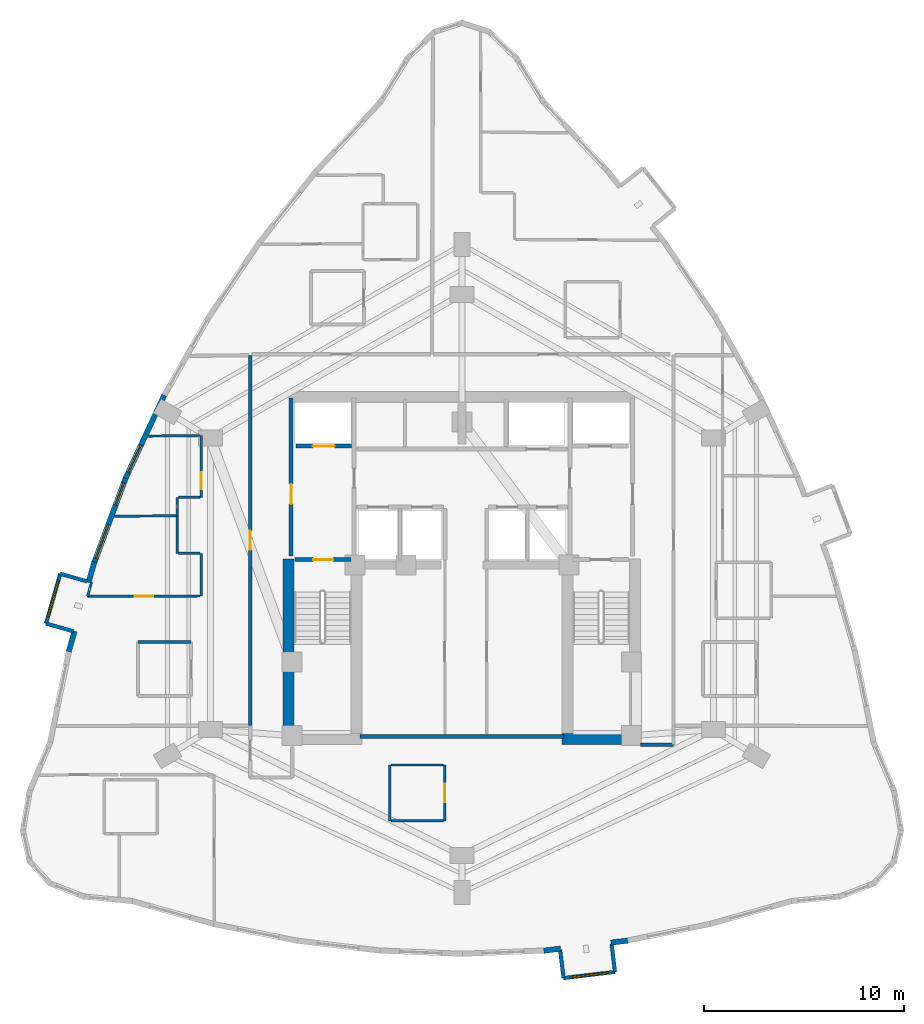
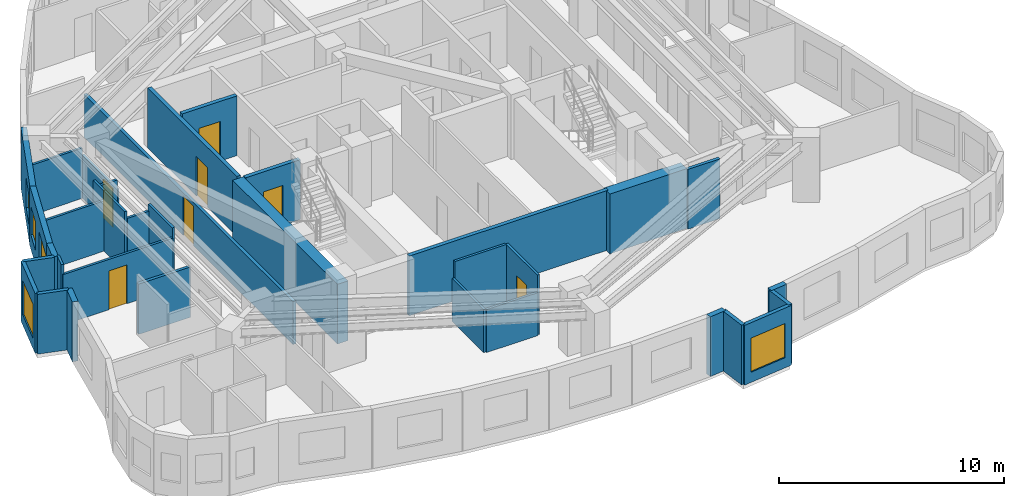
# One storey, part 9 of 14: 35 walls, 7 doors, 5 windows, 12 openings.
"""IFC4 building model written with IfcOpenShell, lengths in metres."""

from ifc_helpers import new_model, si_unit, direction, frame, frame_2d, origin, place, context, subcontext, project, spatial, rectangle, extrude, material, layer, layer_set, type_object, element, fill, save


model = new_model("IFC4")

# Units and contexts
model_context = context("Model", 3, precision=1e-05, world=origin(), true_north=direction((0.0, 1.0)))
body_context = subcontext(model_context, "Body", "Model", "MODEL_VIEW")
ifc_project = project(units=[si_unit("LENGTHUNIT", "METRE"), si_unit("AREAUNIT", "SQUARE_METRE"), si_unit("VOLUMEUNIT", "CUBIC_METRE"), si_unit("PLANEANGLEUNIT", "RADIAN"), si_unit("MASSUNIT", "GRAM", prefix="KILO")], contexts=[model_context])

# Site, building, storey
site_placement = place(None, origin())
site = spatial("IfcSite", under=ifc_project, at=site_placement, CompositionType="ELEMENT")
building_placement = place(site_placement, origin())
building = spatial("IfcBuilding", under=site, at=building_placement, Name="Miruveldt Soraemaru", CompositionType="ELEMENT")
storey_placement = place(building_placement, frame((0.0, 0.0, 114.39990234375)))
storey = spatial("IfcBuildingStorey", under=building, at=storey_placement, Name="L31", CompositionType="ELEMENT", Elevation=114.39990234375)

# Walls
ifc_material_1 = material(Name="White powder-coated aluminium EN AW-6060 T6", Category="aluminium")
ifc_layer_1 = layer(ifc_material_1, 0.18994140625, Name="White powder-coated aluminium EN AW-6060 T6", Category="aluminium")
ifc_layer_set_1 = layer_set([ifc_layer_1], Name="White powder-coated aluminium EN AW-6060 T6")
wall_type_1 = type_object("IfcWallType", Name="WALL-BAY-ALU190", PredefinedType="SOLIDWALL", material=ifc_layer_set_1)
for number, where, z_axis, x_axis, name in (
    (1, (25.25537109375, 43.22021484375, 0.0), (0.0, 0.0, 1.0), (-0.961452801096, 0.274970018845, 0.0), "L31 Bay Window Side Cheek 1L"),
    (2, (23.17041015625, 41.1123046875, 0.0), (0.0, 0.0, 1.0), (0.961452801096, -0.274970018845, 0.0), "L31 Bay Window Side Cheek 1R"),
):
    element("IfcWall", number, at=place(storey_placement, frame(where, z_axis=z_axis, x_axis=x_axis)), inside=storey, type_object=wall_type_1, Name=name, PredefinedType="SOLIDWALL", context=body_context, shape_type="SweptSolid", body=[
        extrude(rectangle(XDim=1.425048828125, YDim=0.18994140625, at=frame_2d((0.71240234375, 0.0))), origin(), (0.0, 0.0, 1.0), 3.235107421875),
    ])

# Wall, opening, window
wall_1_placement = place(storey_placement, frame((23.88525390625, 43.612060546875, 0.0), z_axis=(0.0, 0.0, 1.0), x_axis=(-0.274944358644, -0.961460139397, 0.0)))
wall_1 = element("IfcWall", 3, at=wall_1_placement, inside=storey, type_object=wall_type_1, Name="L31 Bay Window Front Frame 1", PredefinedType="SOLIDWALL", context=body_context, shape_type="SweptSolid", body=[
    extrude(rectangle(XDim=2.599853515625, YDim=0.18994140625, at=frame_2d((1.2998046875, 0.0))), origin(), (0.0, 0.0, 1.0), 3.235107421875),
])
opening_1_placement = place(wall_1_placement, frame((0.35009765625, 0.0, 0.550048828125)))
opening_1 = element("IfcOpeningElement", 4, at=opening_1_placement, cuts=wall_1, Name="Opening WN-6", PredefinedType="OPENING", context=body_context, shape_type="SweptSolid", body=[
    extrude(rectangle(XDim=1.89990234375, YDim=1.85009765625, at=frame_2d((0.949951171875, 0.925048828125))), frame((0.0, 0.10498046875, 0.0), z_axis=(0.0, -1.0, 0.0), x_axis=(1.0, 0.0, 0.0)), (0.0, 0.0, 1.0), 0.2099609375),
])
ifc_material_2 = material(Name="Triple low-e insulated glazing", Category="glass")
window_type_1 = type_object("IfcWindowType", Name="WIN-BAYW-1900x1850", PartitioningType="SINGLE_PANEL", PredefinedType="WINDOW", material=ifc_material_2)
window_1_placement = place(opening_1_placement, origin())
window_1 = element("IfcWindow", 5, at=window_1_placement, inside=storey, type_object=window_type_1, Name="L31 Projecting Bay Window 1", OverallHeight=1.85009765625, OverallWidth=1.89990234375, PartitioningType="SINGLE_PANEL", PredefinedType="WINDOW", context=body_context, shape_type="SweptSolid", body=[
    extrude(rectangle(XDim=1.89990234375, YDim=1.85009765625, at=frame_2d((0.949951171875, 0.925048828125))), frame((0.0, 0.030029296875, 0.0), z_axis=(0.0, -1.0, 0.0), x_axis=(1.0, 0.0, 0.0)), (0.0, 0.0, 1.0), 0.06005859375),
])
fill(opening_1, window_1)

# Walls
for number, where, z_axis, x_axis, name in (
    (6, (48.915283203125, 24.7744140625, 0.0), (0.0, 0.0, 1.0), (0.119246559468, -0.992864672579, 0.0), "L31 Bay Window Side Cheek 2L"),
    (7, (51.66650390625, 23.66943359375, 0.0), (0.0, 0.0, 1.0), (-0.119077659317, 0.992884943511, 0.0), "L31 Bay Window Side Cheek 2R"),
):
    element("IfcWall", number, at=place(storey_placement, frame(where, z_axis=z_axis, x_axis=x_axis)), inside=storey, type_object=wall_type_1, Name=name, PredefinedType="SOLIDWALL", context=body_context, shape_type="SweptSolid", body=[
        extrude(rectangle(XDim=1.425048828125, YDim=0.18994140625, at=frame_2d((0.71240234375, 0.0))), origin(), (0.0, 0.0, 1.0), 3.235107421875),
    ])

# Wall, opening, window
wall_2_placement = place(storey_placement, frame((49.085205078125, 23.359619140625, 0.0), z_axis=(0.0, 0.0, 1.0), x_axis=(0.992874172121, 0.119167438232, 0.0)))
wall_2 = element("IfcWall", 8, at=wall_2_placement, inside=storey, type_object=wall_type_1, Name="L31 Bay Window Front Frame 2", PredefinedType="SOLIDWALL", context=body_context, shape_type="SweptSolid", body=[
    extrude(rectangle(XDim=2.599853515625, YDim=0.18994140625, at=frame_2d((1.2998046875, 0.0))), origin(), (0.0, 0.0, 1.0), 3.235107421875),
])
opening_2_placement = place(wall_2_placement, frame((0.35009765625, 0.0, 0.550048828125)))
opening_2 = element("IfcOpeningElement", 9, at=opening_2_placement, cuts=wall_2, Name="Opening WN-6", PredefinedType="OPENING", context=body_context, shape_type="SweptSolid", body=[
    extrude(rectangle(XDim=1.89990234375, YDim=1.85009765625, at=frame_2d((0.949951171875, 0.925048828125))), frame((0.0, 0.10498046875, 0.0), z_axis=(0.0, -1.0, 0.0), x_axis=(1.0, 0.0, 0.0)), (0.0, 0.0, 1.0), 0.2099609375),
])
window_2_placement = place(opening_2_placement, origin())
window_2 = element("IfcWindow", 10, at=window_2_placement, inside=storey, type_object=window_type_1, Name="L31 Projecting Bay Window 2", OverallHeight=1.85009765625, OverallWidth=1.89990234375, PartitioningType="SINGLE_PANEL", PredefinedType="WINDOW", context=body_context, shape_type="SweptSolid", body=[
    extrude(rectangle(XDim=1.89990234375, YDim=1.85009765625, at=frame_2d((0.949951171875, 0.925048828125))), frame((0.0, 0.030029296875, 0.0), z_axis=(0.0, -1.0, 0.0), x_axis=(1.0, 0.0, 0.0)), (0.0, 0.0, 1.0), 0.06005859375),
])
fill(opening_2, window_2)

# Walls
ifc_material_3 = material(Name="Concrete C70/85 (70 MPa)", Category="concrete")
ifc_layer_2 = layer(ifc_material_3, 0.550048828125, Name="Concrete C70/85 (70 MPa)", Category="concrete")
ifc_layer_set_2 = layer_set([ifc_layer_2], Name="Concrete C70/85 (70 MPa)")
wall_type_2 = type_object("IfcWallType", Name="WALL-CW-550", PredefinedType="SHEAR", material=ifc_layer_set_2)
wall_3_placement = place(storey_placement, frame((49.0, 35.324951171875, 0.0), z_axis=(0.0, 0.0, 1.0), x_axis=(1.0, 0.0, 0.0)))
element("IfcWall", 11, at=wall_3_placement, inside=storey, type_object=wall_type_2, Name="L31 Central Core Shear Wall S2", PredefinedType="SHEAR", context=body_context, shape_type="SweptSolid", body=[
    extrude(rectangle(XDim=3.949951171875, YDim=0.550048828125, at=frame_2d((1.97509765625, 0.0))), origin(), (0.0, 0.0, 1.0), 3.235107421875),
])
wall_4_placement = place(storey_placement, frame((35.324951171875, 35.050048828125, 0.0), z_axis=(0.0, 0.0, 1.0), x_axis=(0.0, 1.0, 0.0)))
element("IfcWall", 12, at=wall_4_placement, inside=storey, type_object=wall_type_2, Name="L31 Central Core Shear Wall W1", PredefinedType="SHEAR", context=body_context, shape_type="SweptSolid", body=[
    extrude(rectangle(XDim=9.300048828125, YDim=0.550048828125, at=frame_2d((4.64990234375, 0.0))), origin(), (0.0, 0.0, 1.0), 3.235107421875),
])

# Wall, opening, window
ifc_material_4 = material(Name="Precast concrete C45/55 (45 MPa)", Category="concrete")
ifc_layer_3 = layer(ifc_material_4, 0.27001953125, Name="Precast concrete C45/55 (45 MPa)", Category="concrete")
ifc_layer_set_3 = layer_set([ifc_layer_3], Name="Precast concrete C45/55 (45 MPa)")
wall_type_3 = type_object("IfcWallType", Name="WALL-EXT-PC270", PredefinedType="SOLIDWALL", material=ifc_layer_set_3)
wall_5_placement = place(storey_placement, frame((29.089599609375, 52.54638671875, 0.0), z_axis=(0.0, 0.0, 1.0), x_axis=(-0.422328448577, -0.90644287273, 0.0)))
wall_5 = element("IfcWall", 13, at=wall_5_placement, inside=storey, type_object=wall_type_3, Name="L31 Precast Concrete Facade Wall 11", PredefinedType="SOLIDWALL", context=body_context, shape_type="SweptSolid", body=[
    extrude(rectangle(XDim=4.58349609375, YDim=0.27001953125, at=frame_2d((2.291748046875, 0.0))), origin(), (0.0, 0.0, 1.0), 3.235107421875),
])
opening_3_placement = place(wall_5_placement, frame((2.756103515625, 0.0, 0.800048828125)))
opening_3 = element("IfcOpeningElement", 14, at=opening_3_placement, cuts=wall_5, Name="Opening WN-3", PredefinedType="OPENING", context=body_context, shape_type="SweptSolid", body=[
    extrude(rectangle(XDim=1.5, YDim=1.60009765625, at=frame_2d((0.75, 0.800048828125))), frame((0.0, 0.14501953125, 0.0), z_axis=(0.0, -1.0, 0.0), x_axis=(1.0, 0.0, 0.0)), (0.0, 0.0, 1.0), 0.2900390625),
])
window_type_2 = type_object("IfcWindowType", Name="WIN-PUNCH-1500x1600", PartitioningType="SINGLE_PANEL", PredefinedType="WINDOW", material=ifc_material_2)
window_3_placement = place(opening_3_placement, origin())
window_3 = element("IfcWindow", 15, at=window_3_placement, inside=storey, type_object=window_type_2, Name="L31 Punched Triple-Glazed Window 11.1", OverallHeight=1.60009765625, OverallWidth=1.5, PartitioningType="SINGLE_PANEL", PredefinedType="WINDOW", context=body_context, shape_type="SweptSolid", body=[
    extrude(rectangle(XDim=1.5, YDim=1.60009765625, at=frame_2d((0.75, 0.800048828125))), frame((0.0, 0.030029296875, 0.0), z_axis=(0.0, -1.0, 0.0), x_axis=(1.0, 0.0, 0.0)), (0.0, 0.0, 1.0), 0.06005859375),
])
fill(opening_3, window_3)

# Wall, openings, windows
wall_6_placement = place(storey_placement, frame((27.180908203125, 48.4560546875, 0.0), z_axis=(0.0, 0.0, 1.0), x_axis=(-0.349016975662, -0.937116401895, 0.0)))
wall_6 = element("IfcWall", 16, at=wall_6_placement, inside=storey, type_object=wall_type_3, Name="L31 Precast Concrete Facade Wall 12", PredefinedType="SOLIDWALL", context=body_context, shape_type="SweptSolid", body=[
    extrude(rectangle(XDim=4.612548828125, YDim=0.27001953125, at=frame_2d((2.30615234375, 0.0))), origin(), (0.0, 0.0, 1.0), 3.235107421875),
])
opening_4_placement = place(wall_6_placement, frame((0.302001953125, 0.0, 0.780029296875)))
opening_4 = element("IfcOpeningElement", 17, at=opening_4_placement, cuts=wall_6, Name="Opening WN-4", PredefinedType="OPENING", context=body_context, shape_type="SweptSolid", body=[
    extrude(rectangle(XDim=1.199951171875, YDim=1.550048828125, at=frame_2d((0.60009765625, 0.77490234375))), frame((0.0, 0.14501953125, 0.0), z_axis=(0.0, -1.0, 0.0), x_axis=(1.0, 0.0, 0.0)), (0.0, 0.0, 1.0), 0.2900390625),
])
opening_5_placement = place(wall_6_placement, frame((2.549072265625, 0.0, 0.800048828125)))
opening_5 = element("IfcOpeningElement", 18, at=opening_5_placement, cuts=wall_6, Name="Opening WN-2", PredefinedType="OPENING", context=body_context, shape_type="SweptSolid", body=[
    extrude(rectangle(XDim=1.800048828125, YDim=1.64990234375, at=frame_2d((0.89990234375, 0.824951171875))), frame((0.0, 0.14501953125, 0.0), z_axis=(0.0, -1.0, 0.0), x_axis=(1.0, 0.0, 0.0)), (0.0, 0.0, 1.0), 0.2900390625),
])
window_type_3 = type_object("IfcWindowType", Name="WIN-PUNCH-1200x1550", PartitioningType="SINGLE_PANEL", PredefinedType="WINDOW", material=ifc_material_2)
window_4_placement = place(opening_4_placement, origin())
window_4 = element("IfcWindow", 19, at=window_4_placement, inside=storey, type_object=window_type_3, Name="L31 Punched Triple-Glazed Window 12.1", OverallHeight=1.550048828125, OverallWidth=1.199951171875, PartitioningType="SINGLE_PANEL", PredefinedType="WINDOW", context=body_context, shape_type="SweptSolid", body=[
    extrude(rectangle(XDim=1.199951171875, YDim=1.550048828125, at=frame_2d((0.60009765625, 0.77490234375))), frame((0.0, 0.030029296875, 0.0), z_axis=(0.0, -1.0, 0.0), x_axis=(1.0, 0.0, 0.0)), (0.0, 0.0, 1.0), 0.06005859375),
])
fill(opening_4, window_4)
window_type_4 = type_object("IfcWindowType", Name="WIN-PUNCH-1800x1650", PartitioningType="SINGLE_PANEL", PredefinedType="WINDOW", material=ifc_material_2)
window_5_placement = place(opening_5_placement, origin())
window_5 = element("IfcWindow", 20, at=window_5_placement, inside=storey, type_object=window_type_4, Name="L31 Punched Triple-Glazed Window 12.2", OverallHeight=1.64990234375, OverallWidth=1.800048828125, PartitioningType="SINGLE_PANEL", PredefinedType="WINDOW", context=body_context, shape_type="SweptSolid", body=[
    extrude(rectangle(XDim=1.800048828125, YDim=1.64990234375, at=frame_2d((0.89990234375, 0.824951171875))), frame((0.0, 0.030029296875, 0.0), z_axis=(0.0, -1.0, 0.0), x_axis=(1.0, 0.0, 0.0)), (0.0, 0.0, 1.0), 0.06005859375),
])
fill(opening_5, window_5)

# Walls
for number, where, z_axis, x_axis, name in (
    (21, (25.5927734375, 44.2001953125, 0.0), (0.0, 0.0, 1.0), (-0.274933117424, -0.961463353927, 0.0), "L31 Precast Pier Wall 13A"),
    (22, (24.6015625, 40.734130859375, 0.0), (0.0, 0.0, 1.0), (-0.274933117424, -0.961463353927, 0.0), "L31 Precast Pier Wall 13B"),
):
    element("IfcWall", number, at=place(storey_placement, frame(where, z_axis=z_axis, x_axis=x_axis)), inside=storey, type_object=wall_type_3, Name=name, PredefinedType="SOLIDWALL", context=body_context, shape_type="SweptSolid", body=[
        extrude(rectangle(XDim=1.064697265625, YDim=0.27001953125, at=frame_2d((0.5322265625, 0.0))), origin(), (0.0, 0.0, 1.0), 3.235107421875),
    ])
wall_7_placement = place(storey_placement, frame((48.09814453125, 24.731689453125, 0.0), z_axis=(0.0, 0.0, 1.0), x_axis=(0.992848154991, 0.119384007019, 0.0)))
element("IfcWall", 23, at=wall_7_placement, inside=storey, type_object=wall_type_3, Name="L31 Precast Pier Wall 26A", PredefinedType="SOLIDWALL", context=body_context, shape_type="SweptSolid", body=[
    extrude(rectangle(XDim=0.8466796875, YDim=0.27001953125, at=frame_2d((0.42333984375, 0.0))), origin(), (0.0, 0.0, 1.0), 3.235107421875),
])
wall_8_placement = place(storey_placement, frame((51.46044921875, 25.13525390625, 0.0), z_axis=(0.0, 0.0, 1.0), x_axis=(0.992878203373, 0.119133846018, 0.0)))
element("IfcWall", 24, at=wall_8_placement, inside=storey, type_object=wall_type_3, Name="L31 Precast Pier Wall 26B", PredefinedType="SOLIDWALL", context=body_context, shape_type="SweptSolid", body=[
    extrude(rectangle(XDim=0.846435546875, YDim=0.27001953125, at=frame_2d((0.42333984375, 0.0))), origin(), (0.0, 0.0, 1.0), 3.235107421875),
])

# Wall, opening, door
ifc_material_5 = material(Name="Gypsum plasterboard lining", Category="gypsum")
ifc_layer_4 = layer(ifc_material_5, 0.1201171875, Name="Gypsum plasterboard lining", Category="gypsum")
ifc_layer_set_4 = layer_set([ifc_layer_4], Name="Gypsum plasterboard lining")
wall_type_4 = type_object("IfcWallType", Name="WALL-INT-P120", PredefinedType="PARTITIONING", material=ifc_layer_set_4)
wall_9_placement = place(storey_placement, frame((30.889892578125, 42.491943359375, 0.0), z_axis=(0.0, 0.0, 1.0), x_axis=(-0.999994289867, -0.003379383675, 0.0)))
wall_9 = element("IfcWall", 25, at=wall_9_placement, inside=storey, type_object=wall_type_4, Name="L31 Partition Wall 43", PredefinedType="PARTITIONING", context=body_context, shape_type="SweptSolid", body=[
    extrude(rectangle(XDim=5.635009765625, YDim=0.1201171875, at=frame_2d((2.8173828125, 0.0))), origin(), (0.0, 0.0, 1.0), 2.72314453125),
])
opening_6_placement = place(wall_9_placement, frame((2.35791015625, 0.0, 0.0)))
opening_6 = element("IfcOpeningElement", 26, at=opening_6_placement, cuts=wall_9, Name="Opening D3A", PredefinedType="OPENING", context=body_context, shape_type="SweptSolid", body=[
    extrude(rectangle(XDim=0.919921875, YDim=2.10009765625, at=frame_2d((0.4599609375, 1.050048828125))), frame((0.0, 0.070068359375, 0.0), z_axis=(0.0, -1.0, 0.0), x_axis=(1.0, 0.0, 0.0)), (0.0, 0.0, 1.0), 0.14013671875),
])
ifc_material_6 = material(Name="Anodised aluminium EN AW-6063 T6", Category="aluminium")
door_type_1 = type_object("IfcDoorType", Name="DOOR-INT-920", OperationType="NOTDEFINED", PredefinedType="DOOR", material=ifc_material_6)
door_1_placement = place(opening_6_placement, origin())
door_1 = element("IfcDoor", 27, at=door_1_placement, inside=storey, type_object=door_type_1, Name="L31 Unit 3103 BD1 Door", OperationType="SINGLE_SWING_LEFT", OverallHeight=2.10009765625, OverallWidth=0.919921875, PredefinedType="DOOR", context=body_context, shape_type="SweptSolid", body=[
    extrude(rectangle(XDim=0.919921875, YDim=2.10009765625, at=frame_2d((0.4599609375, 1.050048828125))), frame((0.0, 0.02490234375, 0.0), z_axis=(0.0, -1.0, 0.0), x_axis=(1.0, 0.0, 0.0)), (0.0, 0.0, 1.0), 0.050048828125),
])
fill(opening_6, door_1)

wall_10_placement = place(storey_placement, frame((30.949951171875, 50.531005859375, 0.0), z_axis=(0.0, 0.0, 1.0), x_axis=(0.0, -1.0, 0.0)))
wall_10 = element("IfcWall", 28, at=wall_10_placement, inside=storey, type_object=wall_type_4, Name="L31 Partition Wall 45", PredefinedType="PARTITIONING", context=body_context, shape_type="SweptSolid", body=[
    extrude(rectangle(XDim=3.10107421875, YDim=0.1201171875, at=frame_2d((1.550537109375, 0.0))), origin(), (0.0, 0.0, 1.0), 2.322998046875),
])
opening_7_placement = place(wall_10_placement, frame((1.840087890625, 0.0, 0.0)))
opening_7 = element("IfcOpeningElement", 29, at=opening_7_placement, cuts=wall_10, Name="Opening FD3", PredefinedType="OPENING", context=body_context, shape_type="SweptSolid", body=[
    extrude(rectangle(XDim=0.85009765625, YDim=2.10009765625, at=frame_2d((0.425048828125, 1.050048828125))), frame((0.0, 0.070068359375, 0.0), z_axis=(0.0, -1.0, 0.0), x_axis=(1.0, 0.0, 0.0)), (0.0, 0.0, 1.0), 0.14013671875),
])
door_type_2 = type_object("IfcDoorType", Name="DOOR-FD3-850", OperationType="NOTDEFINED", PredefinedType="DOOR", material=ifc_material_6)
door_2_placement = place(opening_7_placement, origin())
door_2 = element("IfcDoor", 30, at=door_2_placement, inside=storey, type_object=door_type_2, Name="L31 Unit 3103 BD2 Door", OperationType="SINGLE_SWING_RIGHT", OverallHeight=2.10009765625, OverallWidth=0.85009765625, PredefinedType="DOOR", context=body_context, shape_type="SweptSolid", body=[
    extrude(rectangle(XDim=0.85009765625, YDim=2.10009765625, at=frame_2d((0.425048828125, 1.050048828125))), frame((0.0, 0.02490234375, 0.0), z_axis=(0.0, -1.0, 0.0), x_axis=(1.0, 0.0, 0.0)), (0.0, 0.0, 1.0), 0.050048828125),
])
fill(opening_7, door_2)

wall_11_placement = place(storey_placement, frame((43.139892578125, 31.23291015625, 0.0), z_axis=(0.0, 0.0, 1.0), x_axis=(0.0, 1.0, 0.0)))
wall_11 = element("IfcWall", 31, at=wall_11_placement, inside=storey, type_object=wall_type_4, Name="L31 Partition Wall 63", PredefinedType="PARTITIONING", context=body_context, shape_type="SweptSolid", body=[
    extrude(rectangle(XDim=2.800048828125, YDim=0.1201171875, at=frame_2d((1.39990234375, 0.0))), origin(), (0.0, 0.0, 1.0), 3.235107421875),
])
opening_8_placement = place(wall_11_placement, frame((0.93994140625, 0.0, 0.0)))
opening_8 = element("IfcOpeningElement", 32, at=opening_8_placement, cuts=wall_11, Name="Opening D3A", PredefinedType="OPENING", context=body_context, shape_type="SweptSolid", body=[
    extrude(rectangle(XDim=0.919921875, YDim=2.10009765625, at=frame_2d((0.4599609375, 1.050048828125))), frame((0.0, 0.070068359375, 0.0), z_axis=(0.0, -1.0, 0.0), x_axis=(1.0, 0.0, 0.0)), (0.0, 0.0, 1.0), 0.14013671875),
])
door_3_placement = place(opening_8_placement, origin())
door_3 = element("IfcDoor", 33, at=door_3_placement, inside=storey, type_object=door_type_1, Name="L31 Unit 3105 KIT Door", OperationType="SINGLE_SWING_LEFT", OverallHeight=2.10009765625, OverallWidth=0.919921875, PredefinedType="DOOR", context=body_context, shape_type="SweptSolid", body=[
    extrude(rectangle(XDim=0.919921875, YDim=2.10009765625, at=frame_2d((0.4599609375, 1.050048828125))), frame((0.0, 0.02490234375, 0.0), z_axis=(0.0, -1.0, 0.0), x_axis=(1.0, 0.0, 0.0)), (0.0, 0.0, 1.0), 0.050048828125),
])
fill(opening_8, door_3)

# Walls
wall_12_placement = place(storey_placement, frame((29.677978515625, 46.511962890625, 0.0), z_axis=(0.0, 0.0, 1.0), x_axis=(-0.99996710477, -0.008111065184, 0.0)))
element("IfcWall", 34, at=wall_12_placement, inside=storey, type_object=wall_type_4, Name="L31 Partition Wall 49", PredefinedType="PARTITIONING", context=body_context, shape_type="SweptSolid", body=[
    extrude(rectangle(XDim=3.070068359375, YDim=0.1201171875, at=frame_2d((1.53515625, 0.0))), origin(), (0.0, 0.0, 1.0), 2.72314453125),
])
wall_13_placement = place(storey_placement, frame((40.389892578125, 34.032958984375, 0.0), z_axis=(0.0, 0.0, 1.0), x_axis=(0.0, -1.0, 0.0)))
element("IfcWall", 35, at=wall_13_placement, inside=storey, type_object=wall_type_4, Name="L31 Partition Wall 65", PredefinedType="PARTITIONING", context=body_context, shape_type="SweptSolid", body=[
    extrude(rectangle(XDim=2.800048828125, YDim=0.1201171875, at=frame_2d((1.39990234375, 0.0))), origin(), (0.0, 0.0, 1.0), 2.322998046875),
])
wall_14_placement = place(storey_placement, frame((43.080078125, 34.032958984375, 0.0), z_axis=(0.0, 0.0, 1.0), x_axis=(-1.0, 0.0, 0.0)))
element("IfcWall", 36, at=wall_14_placement, inside=storey, type_object=wall_type_4, Name="L31 Partition Wall 64", PredefinedType="PARTITIONING", context=body_context, shape_type="SweptSolid", body=[
    extrude(rectangle(XDim=2.630126953125, YDim=0.1201171875, at=frame_2d((1.31494140625, 0.0))), origin(), (0.0, 0.0, 1.0), 3.235107421875),
])
wall_15_placement = place(storey_placement, frame((40.449951171875, 31.23291015625, 0.0), z_axis=(0.0, 0.0, 1.0), x_axis=(1.0, 0.0, 0.0)))
element("IfcWall", 37, at=wall_15_placement, inside=storey, type_object=wall_type_4, Name="L31 Partition Wall 66", PredefinedType="PARTITIONING", context=body_context, shape_type="SweptSolid", body=[
    extrude(rectangle(XDim=2.630126953125, YDim=0.1201171875, at=frame_2d((1.31494140625, 0.0))), origin(), (0.0, 0.0, 1.0), 2.322998046875),
])
wall_16_placement = place(storey_placement, frame((28.302001953125, 50.5009765625, 0.0), z_axis=(0.0, 0.0, 1.0), x_axis=(0.999936989758, 0.011225707715, 0.0)))
element("IfcWall", 38, at=wall_16_placement, inside=storey, type_object=wall_type_4, Name="L31 Partition Wall 44", PredefinedType="PARTITIONING", context=body_context, shape_type="SweptSolid", body=[
    extrude(rectangle(XDim=2.588134765625, YDim=0.1201171875, at=frame_2d((1.2939453125, 0.0))), origin(), (0.0, 0.0, 1.0), 2.72314453125),
])
wall_17_placement = place(storey_placement, frame((30.949951171875, 44.6298828125, 0.0), z_axis=(0.0, 0.0, 1.0), x_axis=(0.0, -1.0, 0.0)))
element("IfcWall", 39, at=wall_17_placement, inside=storey, type_object=wall_type_4, Name="L31 Partition Wall 42", PredefinedType="PARTITIONING", context=body_context, shape_type="SweptSolid", body=[
    extrude(rectangle(XDim=2.137939453125, YDim=0.1201171875, at=frame_2d((1.06884765625, 0.0))), origin(), (0.0, 0.0, 1.0), 3.235107421875),
])
wall_18_placement = place(storey_placement, frame((29.738037109375, 46.511962890625, 0.0), z_axis=(0.0, 0.0, 1.0), x_axis=(0.0, -1.0, 0.0)))
element("IfcWall", 40, at=wall_18_placement, inside=storey, type_object=wall_type_4, Name="L31 Partition Wall 40", PredefinedType="PARTITIONING", context=body_context, shape_type="SweptSolid", body=[
    extrude(rectangle(XDim=1.882080078125, YDim=0.1201171875, at=frame_2d((0.94091796875, 0.0))), origin(), (0.0, 0.0, 1.0), 3.235107421875),
])
for number, where, z_axis, x_axis, name in (
    (41, (29.798095703125, 44.6298828125, 0.0), (0.0, 0.0, 1.0), (1.0, 0.0, 0.0), "L31 Partition Wall 41"),
    (42, (30.889892578125, 47.429931640625, 0.0), (0.0, 0.0, 1.0), (-1.0, 0.0, 0.0), "L31 Partition Wall 46"),
):
    element("IfcWall", number, at=place(storey_placement, frame(where, z_axis=z_axis, x_axis=x_axis)), inside=storey, type_object=wall_type_4, Name=name, PredefinedType="PARTITIONING", context=body_context, shape_type="SweptSolid", body=[
        extrude(rectangle(XDim=1.091796875, YDim=0.1201171875, at=frame_2d((0.5458984375, 0.0))), origin(), (0.0, 0.0, 1.0), 2.873046875),
    ])
wall_19_placement = place(storey_placement, frame((29.738037109375, 47.429931640625, 0.0), z_axis=(0.0, 0.0, 1.0), x_axis=(0.0, -1.0, 0.0)))
element("IfcWall", 43, at=wall_19_placement, inside=storey, type_object=wall_type_4, Name="L31 Partition Wall 47", PredefinedType="PARTITIONING", context=body_context, shape_type="SweptSolid", body=[
    extrude(rectangle(XDim=0.91796875, YDim=0.1201171875, at=frame_2d((0.458984375, 0.0))), origin(), (0.0, 0.0, 1.0), 3.235107421875),
])
wall_20_placement = place(storey_placement, frame((25.2548828125, 42.472900390625, 0.0), z_axis=(0.0, 0.0, 1.0), x_axis=(0.266366427774, 0.963871841146, 0.0)))
element("IfcWall", 44, at=wall_20_placement, inside=storey, type_object=wall_type_4, Name="L31 Partition Closure Return 1", PredefinedType="PARTITIONING", context=body_context, shape_type="SweptSolid", body=[
    extrude(rectangle(XDim=0.76904296875, YDim=0.1201171875, at=frame_2d((0.384521484375, 0.0))), origin(), (0.0, 0.0, 1.0), 3.235107421875),
])
ifc_layer_5 = layer(ifc_material_5, 0.14990234375, Name="Gypsum plasterboard lining", Category="gypsum")
ifc_layer_set_5 = layer_set([ifc_layer_5], Name="Gypsum plasterboard lining")
wall_type_5 = type_object("IfcWallType", Name="WALL-INT-PLUMB", PredefinedType="PLUMBINGWALL", material=ifc_layer_set_5)
wall_21_placement = place(storey_placement, frame((30.43798828125, 40.179931640625, 0.0), z_axis=(0.0, 0.0, 1.0), x_axis=(-1.0, 0.0, 0.0)))
element("IfcWall", 45, at=wall_21_placement, inside=storey, type_object=wall_type_5, Name="L31 Partition Wall 37", PredefinedType="PLUMBINGWALL", context=body_context, shape_type="SweptSolid", body=[
    extrude(rectangle(XDim=2.64990234375, YDim=0.14990234375, at=frame_2d((1.324951171875, 0.0))), origin(), (0.0, 0.0, 1.0), 2.72314453125),
])

# Wall, opening, door
ifc_material_7 = material(Name="Concrete C40/50 (40 MPa)", Category="concrete")
ifc_layer_6 = layer(ifc_material_7, 0.159912109375, Name="Concrete C40/50 (40 MPa)", Category="concrete")
ifc_layer_set_6 = layer_set([ifc_layer_6], Name="Concrete C40/50 (40 MPa)")
wall_type_6 = type_object("IfcWallType", Name="WALL-INT-RC160", PredefinedType="SOLIDWALL", material=ifc_layer_set_6)
wall_22_placement = place(storey_placement, frame((33.39990234375, 54.547119140625, 0.0), z_axis=(0.0, 0.0, 1.0), x_axis=(0.0, -1.0, 0.0)))
wall_22 = element("IfcWall", 46, at=wall_22_placement, inside=storey, type_object=wall_type_6, Name="L31 Partition Wall 3", PredefinedType="SOLIDWALL", context=body_context, shape_type="SweptSolid", body=[
    extrude(rectangle(XDim=18.544189453125, YDim=0.159912109375, at=frame_2d((9.27197265625, 0.0))), origin(), (0.0, 0.0, 1.0), 2.322998046875),
])
opening_9_placement = place(wall_22_placement, frame((8.797119140625, 0.0, 0.0)))
opening_9 = element("IfcOpeningElement", 47, at=opening_9_placement, cuts=wall_22, Name="Opening FD2", PredefinedType="OPENING", context=body_context, shape_type="SweptSolid", body=[
    extrude(rectangle(XDim=0.949951171875, YDim=2.14990234375, at=frame_2d((0.47509765625, 1.074951171875))), frame((0.0, 0.08984375, 0.0), z_axis=(0.0, -1.0, 0.0), x_axis=(1.0, 0.0, 0.0)), (0.0, 0.0, 1.0), 0.179931640625),
])
door_type_3 = type_object("IfcDoorType", Name="DOOR-FD2-950", OperationType="NOTDEFINED", PredefinedType="DOOR", material=ifc_material_6)
door_4_placement = place(opening_9_placement, origin())
door_4 = element("IfcDoor", 48, at=door_4_placement, inside=storey, type_object=door_type_3, Name="L31 Unit 3103 Entrance Fire Door", OperationType="SINGLE_SWING_LEFT", OverallHeight=2.14990234375, OverallWidth=0.949951171875, PredefinedType="DOOR", context=body_context, shape_type="SweptSolid", body=[
    extrude(rectangle(XDim=0.949951171875, YDim=2.14990234375, at=frame_2d((0.47509765625, 1.074951171875))), frame((0.0, 0.02490234375, 0.0), z_axis=(0.0, -1.0, 0.0), x_axis=(1.0, 0.0, 0.0)), (0.0, 0.0, 1.0), 0.050048828125),
])
fill(opening_9, door_4)

# Wall
wall_23_placement = place(storey_placement, frame((52.946044921875, 35.050048828125, 0.0), z_axis=(0.0, 0.0, 1.0), x_axis=(1.0, 0.0, 0.0)))
element("IfcWall", 49, at=wall_23_placement, inside=storey, type_object=wall_type_6, Name="L31 Partition Wall 8", PredefinedType="SOLIDWALL", context=body_context, shape_type="SweptSolid", body=[
    extrude(rectangle(XDim=1.654052734375, YDim=0.159912109375, at=frame_2d((0.8271484375, 0.0))), origin(), (0.0, 0.0, 1.0), 3.235107421875),
])

# Wall, opening, door
ifc_layer_7 = layer(ifc_material_7, 0.199951171875, Name="Concrete C40/50 (40 MPa)", Category="concrete")
ifc_layer_set_7 = layer_set([ifc_layer_7], Name="Concrete C40/50 (40 MPa)")
wall_type_7 = type_object("IfcWallType", Name="WALL-INT-RC200", PredefinedType="SOLIDWALL", material=ifc_layer_set_7)
wall_24_placement = place(storey_placement, frame((35.449951171875, 44.5, 0.0), z_axis=(0.0, 0.0, 1.0), x_axis=(0.0, 1.0, 0.0)))
wall_24 = element("IfcWall", 50, at=wall_24_placement, inside=storey, type_object=wall_type_7, Name="L31 Core Compartment Wall FFW-OUT", PredefinedType="SOLIDWALL", context=body_context, shape_type="SweptSolid", body=[
    extrude(rectangle(XDim=7.919921875, YDim=0.199951171875, at=frame_2d((3.9599609375, 0.0))), origin(), (0.0, 0.0, 1.0), 3.235107421875),
])
opening_10_placement = place(wall_24_placement, frame((2.60009765625, 0.0, 0.0)))
opening_10 = element("IfcOpeningElement", 51, at=opening_10_placement, cuts=wall_24, Name="Opening FD1", PredefinedType="OPENING", context=body_context, shape_type="SweptSolid", body=[
    extrude(rectangle(XDim=1.0, YDim=2.14990234375, at=frame_2d((0.5, 1.074951171875))), frame((0.0, 0.10986328125, 0.0), z_axis=(0.0, -1.0, 0.0), x_axis=(1.0, 0.0, 0.0)), (0.0, 0.0, 1.0), 0.219970703125),
])
door_type_4 = type_object("IfcDoorType", Name="DOOR-FD1-1000", OperationType="NOTDEFINED", PredefinedType="DOOR", material=ifc_material_6)
door_5_placement = place(opening_10_placement, origin())
door_5 = element("IfcDoor", 52, at=door_5_placement, inside=storey, type_object=door_type_4, Name="L31 West Firefighting Lobby Exit Door", OperationType="SINGLE_SWING_LEFT", OverallHeight=2.14990234375, OverallWidth=1.0, PredefinedType="DOOR", context=body_context, shape_type="SweptSolid", body=[
    extrude(rectangle(XDim=1.0, YDim=2.14990234375, at=frame_2d((0.5, 1.074951171875))), frame((0.0, 0.02490234375, 0.0), z_axis=(0.0, -1.0, 0.0), x_axis=(1.0, 0.0, 0.0)), (0.0, 0.0, 1.0), 0.050048828125),
])
fill(opening_10, door_5)

wall_25_placement = place(storey_placement, frame((35.64990234375, 44.320068359375, 0.0), z_axis=(0.0, 0.0, 1.0), x_axis=(1.0, 0.0, 0.0)))
wall_25 = element("IfcWall", 53, at=wall_25_placement, inside=storey, type_object=wall_type_7, Name="L31 Core Compartment Wall ST1-N", PredefinedType="SOLIDWALL", context=body_context, shape_type="SweptSolid", body=[
    extrude(rectangle(XDim=2.800048828125, YDim=0.199951171875, at=frame_2d((1.39990234375, 0.0))), origin(), (0.0, 0.0, 1.0), 3.235107421875),
])
opening_11_placement = place(wall_25_placement, frame((0.89990234375, 0.0, 0.0)))
opening_11 = element("IfcOpeningElement", 54, at=opening_11_placement, cuts=wall_25, Name="Opening FD1", PredefinedType="OPENING", context=body_context, shape_type="SweptSolid", body=[
    extrude(rectangle(XDim=1.0, YDim=2.14990234375, at=frame_2d((0.5, 1.074951171875))), frame((0.0, 0.10986328125, 0.0), z_axis=(0.0, -1.0, 0.0), x_axis=(1.0, 0.0, 0.0)), (0.0, 0.0, 1.0), 0.219970703125),
])
door_6_placement = place(opening_11_placement, frame((1.0, 0.0, 0.0), z_axis=(0.0, 0.0, 1.0), x_axis=(-1.0, 0.0, 0.0)))
door_6 = element("IfcDoor", 55, at=door_6_placement, inside=storey, type_object=door_type_4, Name="L31 Stair ST-1 Fire Door", OperationType="SINGLE_SWING_LEFT", OverallHeight=2.14990234375, OverallWidth=1.0, PredefinedType="DOOR", context=body_context, shape_type="SweptSolid", body=[
    extrude(rectangle(XDim=1.0, YDim=2.14990234375, at=frame_2d((0.5, 1.074951171875))), frame((0.0, 0.02490234375, 0.0), z_axis=(0.0, -1.0, 0.0), x_axis=(1.0, 0.0, 0.0)), (0.0, 0.0, 1.0), 0.050048828125),
])
fill(opening_11, door_6)

wall_26_placement = place(storey_placement, frame((35.679931640625, 50.0, 0.0), z_axis=(0.0, 0.0, 1.0), x_axis=(1.0, 0.0, 0.0)))
wall_26 = element("IfcWall", 56, at=wall_26_placement, inside=storey, type_object=wall_type_7, Name="L31 Core Compartment Wall FFL1-S", PredefinedType="SOLIDWALL", context=body_context, shape_type="SweptSolid", body=[
    extrude(rectangle(XDim=2.800048828125, YDim=0.199951171875, at=frame_2d((1.39990234375, 0.0))), origin(), (0.0, 0.0, 1.0), 3.235107421875),
])
opening_12_placement = place(wall_26_placement, frame((0.85009765625, 0.0, 0.0)))
opening_12 = element("IfcOpeningElement", 57, at=opening_12_placement, cuts=wall_26, Name="Opening LD2", PredefinedType="OPENING", context=body_context, shape_type="SweptSolid", body=[
    extrude(rectangle(XDim=1.10009765625, YDim=2.14990234375, at=frame_2d((0.550048828125, 1.074951171875))), frame((0.0, 0.10986328125, 0.0), z_axis=(0.0, -1.0, 0.0), x_axis=(1.0, 0.0, 0.0)), (0.0, 0.0, 1.0), 0.219970703125),
])
door_type_5 = type_object("IfcDoorType", Name="DOOR-LD2-1100", OperationType="SLIDING_TO_LEFT", PredefinedType="DOOR", material=ifc_material_6)
door_7_placement = place(opening_12_placement, origin())
door_7 = element("IfcDoor", 58, at=door_7_placement, inside=storey, type_object=door_type_5, Name="L31 FFL-1 Landing Door", OperationType="SLIDING_TO_LEFT", OverallHeight=2.14990234375, OverallWidth=1.10009765625, PredefinedType="DOOR", context=body_context, shape_type="SweptSolid", body=[
    extrude(rectangle(XDim=1.10009765625, YDim=2.14990234375, at=frame_2d((0.550048828125, 1.074951171875))), frame((0.0, 0.02490234375, 0.0), z_axis=(0.0, -1.0, 0.0), x_axis=(1.0, 0.0, 0.0)), (0.0, 0.0, 1.0), 0.050048828125),
])
fill(opening_12, door_7)

# Wall
wall_27_placement = place(storey_placement, frame((38.89990234375, 35.449951171875, 0.0), z_axis=(0.0, 0.0, 1.0), x_axis=(1.0, 0.0, 0.0)))
element("IfcWall", 59, at=wall_27_placement, inside=storey, type_object=wall_type_7, Name="L31 Core Compartment Wall CS-S", PredefinedType="SOLIDWALL", context=body_context, shape_type="SweptSolid", body=[
    extrude(rectangle(XDim=10.2001953125, YDim=0.199951171875, at=frame_2d((5.10009765625, 0.0))), origin(), (0.0, 0.0, 1.0), 3.235107421875),
])

save(model, "model.ifc")
